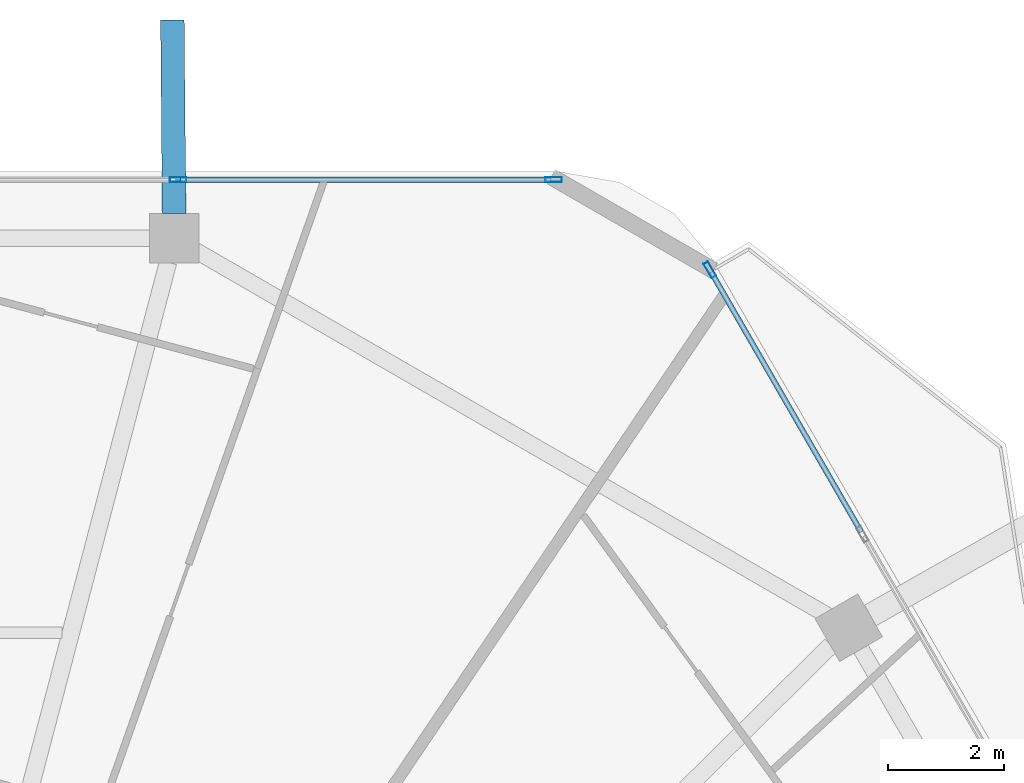
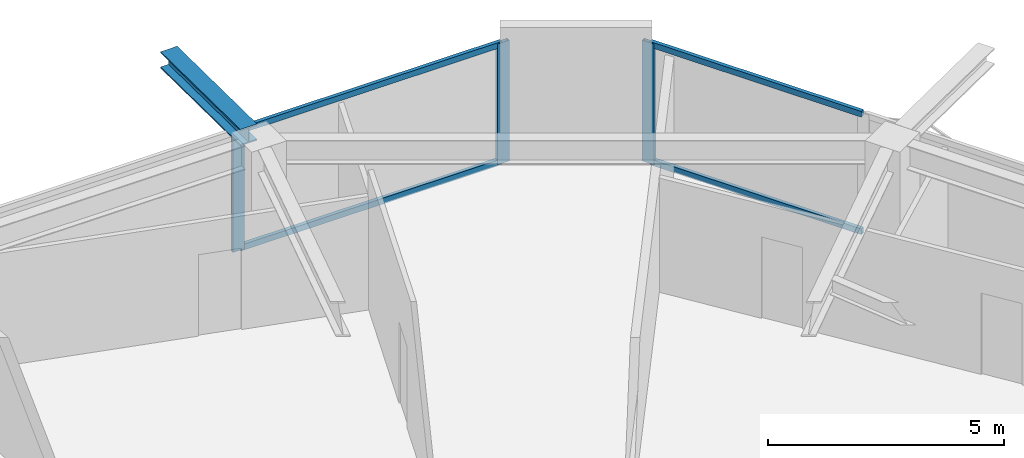
# One storey, part 16 of 26: 7 members, 1 beam, 2 elements without a shape of their own.
"""IFC4 building model written with IfcOpenShell, lengths in metres."""

from ifc_helpers import new_model, si_unit, direction, frame, origin, origin_2d, place, context, subcontext, project, spatial, hollow_rectangle, i_section, extrude, material, material_profile, profile_set, type_object, element, aggregate, save


model = new_model("IFC4")

# Units and contexts
model_context = context("Model", 3, precision=1e-05, world=origin(), true_north=direction((0.0, 1.0)))
body_context = subcontext(model_context, "Body", "Model", "MODEL_VIEW")
ifc_project = project(units=[si_unit("LENGTHUNIT", "METRE"), si_unit("AREAUNIT", "SQUARE_METRE"), si_unit("VOLUMEUNIT", "CUBIC_METRE"), si_unit("PLANEANGLEUNIT", "RADIAN"), si_unit("MASSUNIT", "GRAM", prefix="KILO")], contexts=[model_context])

# Site, building, storey
site_placement = place(None, origin())
site = spatial("IfcSite", under=ifc_project, at=site_placement, CompositionType="ELEMENT")
building_placement = place(site_placement, origin())
building = spatial("IfcBuilding", under=site, at=building_placement, Name="Zuhravey Tower", CompositionType="ELEMENT")
storey_placement = place(building_placement, frame((0.0, 0.0, 295.800048828125)))
storey = spatial("IfcBuildingStorey", under=building, at=storey_placement, Name="L75", CompositionType="ELEMENT", Elevation=295.800048828125)

# Curtain wall, members
ifc_material_1 = material(Name="Thermally broken anodised aluminium", Category="aluminium")
curtain_wall_type = type_object("IfcCurtainWallType", Name="Zone 3-4 High-Rise Curtain Wall CW4", PredefinedType="NOTDEFINED", material=ifc_material_1)
curtain_wall_1_placement = place(storey_placement, origin())
curtain_wall_1 = element("IfcCurtainWall", 1, at=curtain_wall_1_placement, inside=storey, type_object=curtain_wall_type, Name="L75 CW4 CW-L75-F2-1", PredefinedType="NOTDEFINED")
ifc_material_2 = material(Name="Anodised aluminium", Category="aluminium")
ifc_material_profile_1 = material_profile(ifc_material_2, hollow_rectangle(XDim=0.090087890625, YDim=0.284912109375, WallThickness=0.0048828125, at=origin_2d()), Name="ALU-RHS-90x285x5")
ifc_profile_set_1 = profile_set([ifc_material_profile_1], Name="Anodised aluminium")
member_type_1 = type_object("IfcMemberType", Name="Curtain-Wall Mullion 90x180", PredefinedType="MULLION", material=ifc_profile_set_1)
member_1_placement = place(storey_placement, frame((42.50634765625, 57.563720703125, 0.0), z_axis=(0.0, 0.0, 1.0), x_axis=(0.0, 1.0, 0.0)))
member_1 = element("IfcMember", 2, at=member_1_placement, type_object=member_type_1, Name="CW4 mullion 4", PredefinedType="MULLION", context=body_context, shape_type="SweptSolid", body=[
    extrude(hollow_rectangle(XDim=0.090087890625, YDim=0.284912109375, WallThickness=0.0048828125, at=origin_2d()), origin(), (0.0, 0.0, 1.0), 3.1220703125),
])
member_2_placement = place(storey_placement, frame((48.9677734375, 57.563720703125, 0.0), z_axis=(0.0, 0.0, 1.0), x_axis=(0.0, 1.0, 0.0)))
member_2 = element("IfcMember", 3, at=member_2_placement, type_object=member_type_1, Name="CW4 mullion 5", PredefinedType="MULLION", context=body_context, shape_type="SweptSolid", body=[
    extrude(hollow_rectangle(XDim=0.090087890625, YDim=0.284912109375, WallThickness=0.0048828125, at=origin_2d()), origin(), (0.0, 0.0, 1.0), 3.1220703125),
])

# Curtain wall, member
curtain_wall_2_placement = place(storey_placement, origin())
curtain_wall_2 = element("IfcCurtainWall", 4, at=curtain_wall_2_placement, inside=storey, type_object=curtain_wall_type, Name="L75 CW4 CW-L75-F1-1", PredefinedType="NOTDEFINED")
member_3_placement = place(storey_placement, frame((51.65478515625, 56.01220703125, 0.0), z_axis=(0.0, 0.0, 1.0), x_axis=(0.866024519015, 0.500001532463, 0.0)))
member_3 = element("IfcMember", 5, at=member_3_placement, type_object=member_type_1, Name="CW4 mullion 1", PredefinedType="MULLION", context=body_context, shape_type="SweptSolid", body=[
    extrude(hollow_rectangle(XDim=0.090087890625, YDim=0.284912109375, WallThickness=0.0048828125, at=origin_2d()), origin(), (0.0, 0.0, 1.0), 3.1220703125),
])

# Member
ifc_material_profile_2 = material_profile(ifc_material_2, hollow_rectangle(XDim=0.090087890625, YDim=0.14990234375, WallThickness=0.0048828125, at=origin_2d()), Name="ALU-RHS-90x150x5")
ifc_profile_set_2 = profile_set([ifc_material_profile_2], Name="Anodised aluminium")
member_type_2 = type_object("IfcMemberType", Name="Curtain-Wall Transom 90x150", PredefinedType="USERDEFINED", material=ifc_profile_set_2)
member_4_placement = place(storey_placement, frame((42.55126953125, 57.563720703125, 0.044921875), z_axis=(1.0, 0.0, 0.0), x_axis=(0.0, 1.0, 0.0)))
member_4 = element("IfcMember", 6, at=member_4_placement, type_object=member_type_2, Name="CW4 transom 4.1", ObjectType="TRANSOM", PredefinedType="USERDEFINED", context=body_context, shape_type="SweptSolid", body=[
    extrude(hollow_rectangle(XDim=0.090087890625, YDim=0.14990234375, WallThickness=0.0048828125, at=origin_2d()), origin(), (0.0, 0.0, 1.0), 6.371337890625),
])

member_5_placement = place(storey_placement, frame((42.55126953125, 57.563720703125, 3.076904296875), z_axis=(1.0, 0.0, 0.0), x_axis=(0.0, 1.0, 0.0)))
member_5 = element("IfcMember", 7, at=member_5_placement, type_object=member_type_2, Name="CW4 transom 4.2", ObjectType="TRANSOM", PredefinedType="USERDEFINED", context=body_context, shape_type="SweptSolid", body=[
    extrude(hollow_rectangle(XDim=0.090087890625, YDim=0.14990234375, WallThickness=0.0048828125, at=origin_2d()), origin(), (0.0, 0.0, 1.0), 6.371337890625),
])

aggregate(curtain_wall_1, [member_1, member_2, member_4, member_5])

member_6_placement = place(storey_placement, frame((51.677490234375, 55.97314453125, 0.044921875), z_axis=(0.499995433041, -0.866028040503, 0.0), x_axis=(0.866028040503, 0.499995433041, 0.0)))
member_6 = element("IfcMember", 8, at=member_6_placement, type_object=member_type_2, Name="CW4 transom 1.1", ObjectType="TRANSOM", PredefinedType="USERDEFINED", context=body_context, shape_type="SweptSolid", body=[
    extrude(hollow_rectangle(XDim=0.090087890625, YDim=0.14990234375, WallThickness=0.0048828125, at=origin_2d()), origin(), (0.0, 0.0, 1.0), 5.1611328125),
])

member_7_placement = place(storey_placement, frame((51.677490234375, 55.97314453125, 3.076904296875), z_axis=(0.499995433041, -0.866028040503, 0.0), x_axis=(0.866028040503, 0.499995433041, 0.0)))
member_7 = element("IfcMember", 9, at=member_7_placement, type_object=member_type_2, Name="CW4 transom 1.2", ObjectType="TRANSOM", PredefinedType="USERDEFINED", context=body_context, shape_type="SweptSolid", body=[
    extrude(hollow_rectangle(XDim=0.090087890625, YDim=0.14990234375, WallThickness=0.0048828125, at=origin_2d()), origin(), (0.0, 0.0, 1.0), 5.1611328125),
])

aggregate(curtain_wall_2, [member_3, member_6, member_7])

# Beam
ifc_material_3 = material(Name="Steel SM460", Category="steel")
ifc_material_profile_3 = material_profile(ifc_material_3, i_section(OverallWidth=0.406982421875, OverallDepth=0.427978515625, WebThickness=0.02001953125, FlangeThickness=0.034912109375, at=origin_2d()), Name="H-428x407x20x35")
ifc_profile_set_3 = profile_set([ifc_material_profile_3], Name="Steel SM460")
beam_type = type_object("IfcBeamType", Name="Exoskeleton Node Tie Beam H428x407", PredefinedType="BEAM", material=ifc_profile_set_3)
beam_placement = place(storey_placement, frame((42.43701171875, 56.982666015625, 3.3359375), z_axis=(-0.00880829074, 0.999961206255, 0.0), x_axis=(-0.999961206255, -0.00880829074, 0.0)))
element("IfcBeam", 10, at=beam_placement, inside=storey, type_object=beam_type, Name="L75 Exoskeleton Node Tie NT1-03", PredefinedType="BEAM", context=body_context, shape_type="SweptSolid", body=[
    extrude(i_section(OverallWidth=0.406982421875, OverallDepth=0.427978515625, WebThickness=0.02001953125, FlangeThickness=0.034912109375, at=origin_2d()), origin(), (0.0, 0.0, 1.0), 3.326171875),
])

save(model, "model.ifc")
